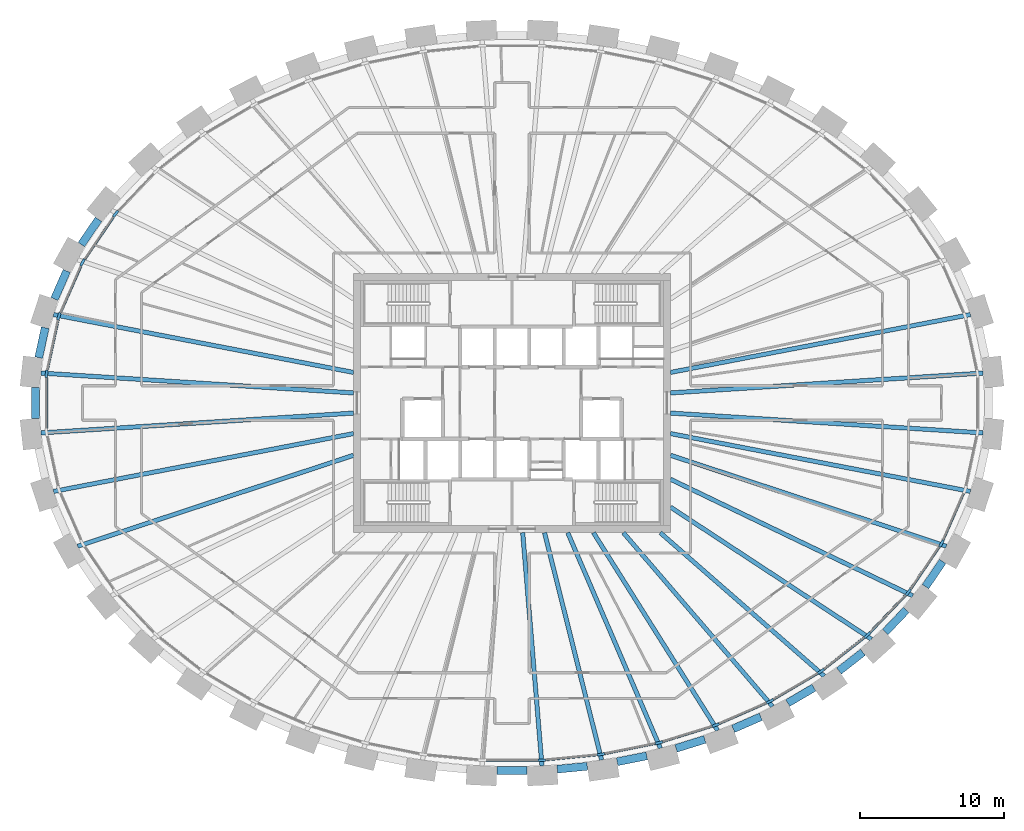
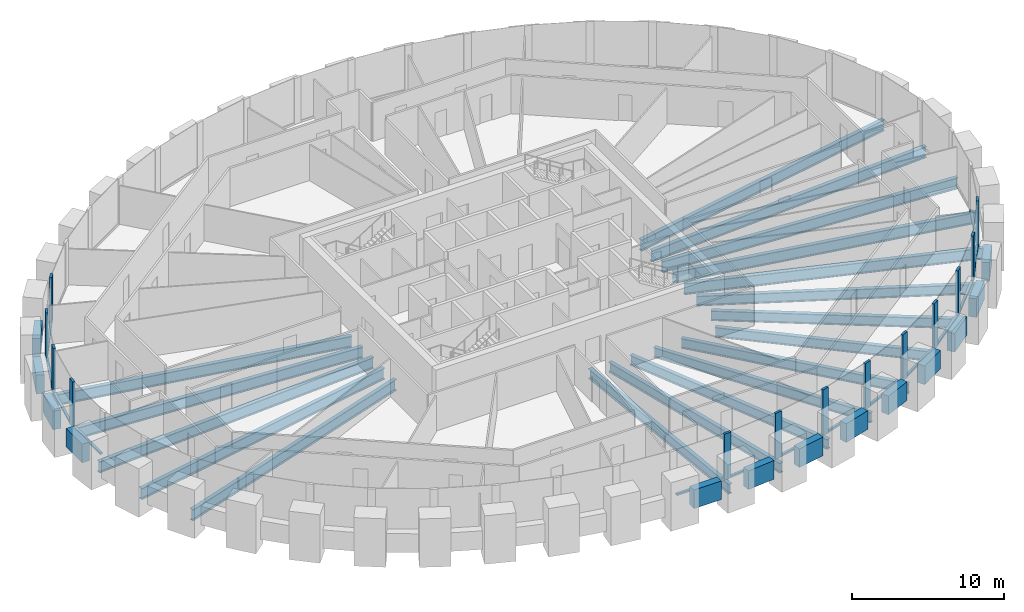
# One storey, part 2 of 12: 31 beams, 27 members, 1 element without a shape of its own.
"""IFC4 building model written with IfcOpenShell, lengths in metres."""

from ifc_helpers import new_model, si_unit, direction, frame, origin, origin_2d, place, context, subcontext, project, spatial, rectangle, i_section, extrude, source, transform, mapped, material, material_profile, profile_set, type_object, element, aggregate, save


model = new_model("IFC4")

# Units and contexts
model_context = context("Model", 3, precision=1e-05, world=origin(), true_north=direction((0.0, 1.0)))
body_context = subcontext(model_context, "Body", "Model", "MODEL_VIEW")
ifc_project = project(units=[si_unit("LENGTHUNIT", "METRE"), si_unit("AREAUNIT", "SQUARE_METRE"), si_unit("VOLUMEUNIT", "CUBIC_METRE"), si_unit("PLANEANGLEUNIT", "RADIAN"), si_unit("MASSUNIT", "GRAM", prefix="KILO")], contexts=[model_context])

# Site, building, storey
site_placement = place(None, origin())
site = spatial("IfcSite", under=ifc_project, at=site_placement, CompositionType="ELEMENT")
building_placement = place(site_placement, origin())
building = spatial("IfcBuilding", under=site, at=building_placement, Name="Embergate Tower", CompositionType="ELEMENT")
storey_placement = place(building_placement, frame((0.0, 0.0, 250.0)))
storey = spatial("IfcBuildingStorey", under=building, at=storey_placement, Name="L57", CompositionType="ELEMENT", Elevation=250.0)

# Beams
ifc_material_1 = material(Name="Concrete C60", Category="concrete")
ifc_material_profile_1 = material_profile(ifc_material_1, rectangle(XDim=0.550048828125, YDim=1.5, at=origin_2d()), Name="RC 550x1500")
ifc_profile_set_1 = profile_set([ifc_material_profile_1], Name="Concrete C60")
beam_type_1 = type_object("IfcBeamType", Name="Spandrel beam RC 550x1500 C60", PredefinedType="BEAM", material=ifc_profile_set_1)
shared_shape_1 = source(origin(), body_context, "Body", "SweptSolid", [
    extrude(rectangle(XDim=0.550048828125, YDim=1.5, at=origin_2d()), origin(), (0.0, 0.0, 1.0), 2.121337890625),
])
beam_1_placement = place(storey_placement, frame((-32.39990234375, 5.222900390625, 0.0), z_axis=(-0.210259959119, -0.977645513257, 0.0), x_axis=(0.977645513257, -0.210259959119, 0.0)))
element("IfcBeam", 1, at=beam_1_placement, inside=storey, type_object=beam_type_1, Name="SPN-L57-20", PredefinedType="BEAM", context=body_context, shape_type="MappedRepresentation", body=[
    mapped(shared_shape_1, transform((0.0, 0.0, 0.0))),
])
shared_shape_2 = source(origin(), body_context, "Body", "SweptSolid", [
    extrude(rectangle(XDim=0.550048828125, YDim=1.5, at=origin_2d()), origin(), (0.0, 0.0, 1.0), 2.118408203125),
])
beam_2_placement = place(storey_placement, frame((-30.903076171875, 9.160888671875, 0.0), z_axis=(-0.401653016285, -0.915791927519, 0.0), x_axis=(0.915791927519, -0.401653016285, 0.0)))
element("IfcBeam", 2, at=beam_2_placement, inside=storey, type_object=beam_type_1, Name="SPN-L57-19", PredefinedType="BEAM", context=body_context, shape_type="MappedRepresentation", body=[
    mapped(shared_shape_2, transform((0.0, 0.0, 0.0))),
])
shared_shape_3 = source(origin(), body_context, "Body", "SweptSolid", [
    extrude(rectangle(XDim=0.550048828125, YDim=1.5, at=origin_2d()), origin(), (0.0, 0.0, 1.0), 2.113525390625),
])
for number, where, z_axis, x_axis, name in (
    (3, (-28.697998046875, 12.74609375, 0.0), (-0.562088832066, -0.827076867569, 0.0), (0.827076867569, -0.562088832066, 0.0), "SPN-L57-18"),
    (4, (28.697998046875, -12.74609375, 0.0), (0.562088832066, 0.827076867569, 0.0), (-0.827076867569, 0.562088832066, 0.0), "SPN-L57-40"),
):
    element("IfcBeam", number, at=place(storey_placement, frame(where, z_axis=z_axis, x_axis=x_axis)), inside=storey, type_object=beam_type_1, Name=name, PredefinedType="BEAM", context=body_context, shape_type="MappedRepresentation", body=[
        mapped(shared_shape_3, transform((0.0, 0.0, 0.0))),
    ])
shared_shape_4 = source(origin(), body_context, "Body", "SweptSolid", [
    extrude(rectangle(XDim=0.550048828125, YDim=1.5, at=origin_2d()), origin(), (0.0, 0.0, 1.0), 2.1064453125),
])
beam_3_placement = place(storey_placement, frame((25.907958984375, -15.89111328125, 0.0), z_axis=(0.690280012813, 0.723542330421, 0.0), x_axis=(-0.723542330421, 0.690280012813, 0.0)))
element("IfcBeam", 5, at=beam_3_placement, inside=storey, type_object=beam_type_1, Name="SPN-L57-39", PredefinedType="BEAM", context=body_context, shape_type="MappedRepresentation", body=[
    mapped(shared_shape_4, transform((0.0, 0.0, 0.0))),
])
shared_shape_5 = source(origin(), body_context, "Body", "SweptSolid", [
    extrude(rectangle(XDim=0.550048828125, YDim=1.5, at=origin_2d()), origin(), (0.0, 0.0, 1.0), 2.101806640625),
])
beam_4_placement = place(storey_placement, frame((22.695068359375, -18.593994140625, 0.0), z_axis=(0.78838173926, 0.615186340227, 0.0), x_axis=(-0.615186340227, 0.78838173926, 0.0)))
element("IfcBeam", 6, at=beam_4_placement, inside=storey, type_object=beam_type_1, Name="SPN-L57-38", PredefinedType="BEAM", context=body_context, shape_type="MappedRepresentation", body=[
    mapped(shared_shape_5, transform((0.0, 0.0, 0.0))),
])
shared_shape_6 = source(origin(), body_context, "Body", "SweptSolid", [
    extrude(rectangle(XDim=0.550048828125, YDim=1.5, at=origin_2d()), origin(), (0.0, 0.0, 1.0), 2.097412109375),
])
beam_5_placement = place(storey_placement, frame((19.138916015625, -20.821044921875, 0.0), z_axis=(0.862059864985, 0.506806461267, 0.0), x_axis=(-0.506806461267, 0.862059864985, 0.0)))
element("IfcBeam", 7, at=beam_5_placement, inside=storey, type_object=beam_type_1, Name="SPN-L57-37", PredefinedType="BEAM", context=body_context, shape_type="MappedRepresentation", body=[
    mapped(shared_shape_6, transform((0.0, 0.0, 0.0))),
])
shared_shape_7 = source(origin(), body_context, "Body", "SweptSolid", [
    extrude(rectangle(XDim=0.550048828125, YDim=1.5, at=origin_2d()), origin(), (0.0, 0.0, 1.0), 2.093994140625),
])
beam_6_placement = place(storey_placement, frame((15.35009765625, -22.614013671875, 0.0), z_axis=(0.916403340616, 0.400256064674, 0.0), x_axis=(-0.400256064674, 0.916403340616, 0.0)))
element("IfcBeam", 8, at=beam_6_placement, inside=storey, type_object=beam_type_1, Name="SPN-L57-36", PredefinedType="BEAM", context=body_context, shape_type="MappedRepresentation", body=[
    mapped(shared_shape_7, transform((0.0, 0.0, 0.0))),
])
shared_shape_8 = source(origin(), body_context, "Body", "SweptSolid", [
    extrude(rectangle(XDim=0.550048828125, YDim=1.5, at=origin_2d()), origin(), (0.0, 0.0, 1.0), 2.092529296875),
])
beam_7_placement = place(storey_placement, frame((11.385009765625, -23.969970703125, 0.0), z_axis=(0.954794982035, 0.297265104378, 0.0), x_axis=(-0.297265104378, 0.954794982035, 0.0)))
element("IfcBeam", 9, at=beam_7_placement, inside=storey, type_object=beam_type_1, Name="SPN-L57-35", PredefinedType="BEAM", context=body_context, shape_type="MappedRepresentation", body=[
    mapped(shared_shape_8, transform((0.0, 0.0, 0.0))),
])
shared_shape_9 = source(origin(), body_context, "Body", "SweptSolid", [
    extrude(rectangle(XDim=0.550048828125, YDim=1.5, at=origin_2d()), origin(), (0.0, 0.0, 1.0), 2.0908203125),
])
beam_8_placement = place(storey_placement, frame((7.300048828125, -24.90087890625, 0.0), z_axis=(0.980499753095, 0.196520314929, 0.0), x_axis=(-0.196520314929, 0.980499753095, 0.0)))
element("IfcBeam", 10, at=beam_8_placement, inside=storey, type_object=beam_type_1, Name="SPN-L57-34", PredefinedType="BEAM", context=body_context, shape_type="MappedRepresentation", body=[
    mapped(shared_shape_9, transform((0.0, 0.0, 0.0))),
])
shared_shape_10 = source(origin(), body_context, "Body", "SweptSolid", [
    extrude(rectangle(XDim=0.550048828125, YDim=1.5, at=origin_2d()), origin(), (0.0, 0.0, 1.0), 2.08984375),
])
for number, where, z_axis, x_axis, name in (
    (11, (-1.044921875, -25.51806640625, 0.0), (1.0, 0.0, 0.0), (0.0, 1.0, 0.0), "SPN-L57-32"),
    (12, (3.14306640625, -25.4150390625, 0.0), (0.995219400888, 0.097664446431, 0.0), (-0.097664446431, 0.995219400888, 0.0), "SPN-L57-33"),
):
    element("IfcBeam", number, at=place(storey_placement, frame(where, z_axis=z_axis, x_axis=x_axis)), inside=storey, type_object=beam_type_1, Name=name, PredefinedType="BEAM", context=body_context, shape_type="MappedRepresentation", body=[
        mapped(shared_shape_10, transform((0.0, 0.0, 0.0))),
    ])
shared_shape_11 = source(origin(), body_context, "Body", "SweptSolid", [
    extrude(rectangle(XDim=0.550048828125, YDim=1.5, at=origin_2d()), origin(), (0.0, 0.0, 1.0), 2.1220703125),
])
beam_9_placement = place(storey_placement, frame((-33.068115234375, 1.06103515625, 0.0), z_axis=(0.0, -1.0, 0.0), x_axis=(1.0, 0.0, 0.0)))
element("IfcBeam", 13, at=beam_9_placement, inside=storey, type_object=beam_type_1, Name="SPN-L57-21", PredefinedType="BEAM", context=body_context, shape_type="MappedRepresentation", body=[
    mapped(shared_shape_11, transform((0.0, 0.0, 0.0))),
])
ifc_material_2 = material(Name="Steel Q355B", Category="steel")
ifc_material_profile_2 = material_profile(ifc_material_2, i_section(OverallWidth=0.300048828125, OverallDepth=0.89990234375, WebThickness=0.01611328125, FlangeThickness=0.028076171875, FilletRadius=0.028076171875, at=origin_2d()), Name="HN 900x300x16x28")
ifc_profile_set_2 = profile_set([ifc_material_profile_2], Name="Steel Q355 grade B")
beam_type_2 = type_object("IfcBeamType", Name="Radial girder HN 900x300x16x28", PredefinedType="BEAM", material=ifc_profile_set_2)
shared_shape_12 = source(origin(), body_context, "Body", "SweptSolid", [
    extrude(i_section(OverallWidth=0.300048828125, OverallDepth=0.89990234375, WebThickness=0.01611328125, FlangeThickness=0.028076171875, FilletRadius=0.028076171875, at=origin_2d()), origin(), (0.0, 0.0, 1.0), 21.73681640625),
])
for number, where, z_axis, x_axis, name in (
    (14, (32.693115234375, 2.076904296875, -0.64990234375), (-0.997988738626, -0.063391462954, 0.0), (0.063391462954, -0.997988738626, 0.0), "GIR-L57-00"),
    (15, (-32.693115234375, 2.076904296875, -0.64990234375), (0.997988738626, -0.063391462954, 0.0), (0.063391462954, 0.997988738626, 0.0), "GIR-L57-21"),
    (16, (-32.693115234375, -2.076904296875, -0.64990234375), (0.997988738626, 0.063391462954, 0.0), (-0.063391462954, 0.997988738626, 0.0), "GIR-L57-22"),
    (17, (32.693115234375, -2.076904296875, -0.64990234375), (-0.997988738626, 0.063391462954, 0.0), (-0.063391462954, -0.997988738626, 0.0), "GIR-L57-43"),
):
    element("IfcBeam", number, at=place(storey_placement, frame(where, z_axis=z_axis, x_axis=x_axis)), inside=storey, type_object=beam_type_2, Name=name, PredefinedType="BEAM", context=body_context, shape_type="MappedRepresentation", body=[
        mapped(shared_shape_12, transform((0.0, 0.0, 0.0))),
    ])
shared_shape_13 = source(origin(), body_context, "Body", "SweptSolid", [
    extrude(i_section(OverallWidth=0.300048828125, OverallDepth=0.89990234375, WebThickness=0.01611328125, FlangeThickness=0.028076171875, FilletRadius=0.028076171875, at=origin_2d()), origin(), (0.0, 0.0, 1.0), 21.202880859375),
])
for number, where, z_axis, x_axis, name in (
    (18, (31.819091796875, 6.137939453125, -0.64990234375), (-0.981899604509, -0.189402129517, 0.0), (0.189402129517, -0.981899604509, 0.0), "GIR-L57-01"),
    (19, (-31.819091796875, 6.137939453125, -0.64990234375), (0.981899604509, -0.189402129517, 0.0), (0.189402129517, 0.981899604509, 0.0), "GIR-L57-20"),
    (20, (-31.819091796875, -6.137939453125, -0.64990234375), (0.981899604509, 0.189402129517, 0.0), (-0.189402129517, 0.981899604509, 0.0), "GIR-L57-23"),
    (21, (31.819091796875, -6.137939453125, -0.64990234375), (-0.981899604509, 0.189402129517, 0.0), (-0.189402129517, -0.981899604509, 0.0), "GIR-L57-42"),
):
    element("IfcBeam", number, at=place(storey_placement, frame(where, z_axis=z_axis, x_axis=x_axis)), inside=storey, type_object=beam_type_2, Name=name, PredefinedType="BEAM", context=body_context, shape_type="MappedRepresentation", body=[
        mapped(shared_shape_13, transform((0.0, 0.0, 0.0))),
    ])
shared_shape_14 = source(origin(), body_context, "Body", "SweptSolid", [
    extrude(i_section(OverallWidth=0.300048828125, OverallDepth=0.89990234375, WebThickness=0.01611328125, FlangeThickness=0.028076171875, FilletRadius=0.028076171875, at=origin_2d()), origin(), (0.0, 0.0, 1.0), 20.164306640625),
])
for number, where, z_axis, x_axis, name in (
    (22, (-30.14990234375, -9.943115234375, -0.64990234375), (0.949691828374, 0.313185936976, 0.0), (-0.313185936976, 0.949691828374, 0.0), "GIR-L57-24"),
    (23, (30.14990234375, -9.943115234375, -0.64990234375), (-0.949691828374, 0.313185936976, 0.0), (-0.313185936976, -0.949691828374, 0.0), "GIR-L57-41"),
):
    element("IfcBeam", number, at=place(storey_placement, frame(where, z_axis=z_axis, x_axis=x_axis)), inside=storey, type_object=beam_type_2, Name=name, PredefinedType="BEAM", context=body_context, shape_type="MappedRepresentation", body=[
        mapped(shared_shape_14, transform((0.0, 0.0, 0.0))),
    ])
ifc_material_profile_3 = material_profile(ifc_material_2, i_section(OverallWidth=0.300048828125, OverallDepth=0.800048828125, WebThickness=0.013916015625, FlangeThickness=0.02587890625, FilletRadius=0.028076171875, at=origin_2d()), Name="HN 800x300x14x26")
ifc_profile_set_3 = profile_set([ifc_material_profile_3], Name="Steel Q355 grade B")
beam_type_3 = type_object("IfcBeamType", Name="Radial girder HN 800x300x14x26", PredefinedType="BEAM", material=ifc_profile_set_3)
shared_shape_15 = source(origin(), body_context, "Body", "SweptSolid", [
    extrude(i_section(OverallWidth=0.300048828125, OverallDepth=0.800048828125, WebThickness=0.013916015625, FlangeThickness=0.02587890625, FilletRadius=0.028076171875, at=origin_2d()), origin(), (0.0, 0.0, 1.0), 18.6572265625),
])
beam_10_placement = place(storey_placement, frame((27.81298828125, -13.3798828125, -0.60009765625), z_axis=(-0.901153541631, 0.433500051218, 0.0), x_axis=(-0.433500051218, -0.901153541631, 0.0)))
element("IfcBeam", 24, at=beam_10_placement, inside=storey, type_object=beam_type_3, Name="GIR-L57-40", PredefinedType="BEAM", context=body_context, shape_type="MappedRepresentation", body=[
    mapped(shared_shape_15, transform((0.0, 0.0, 0.0))),
])
shared_shape_16 = source(origin(), body_context, "Body", "SweptSolid", [
    extrude(i_section(OverallWidth=0.300048828125, OverallDepth=0.800048828125, WebThickness=0.013916015625, FlangeThickness=0.02587890625, FilletRadius=0.028076171875, at=origin_2d()), origin(), (0.0, 0.0, 1.0), 16.683349609375),
])
beam_11_placement = place(storey_placement, frame((24.943115234375, -16.387939453125, -0.60009765625), z_axis=(-0.835753065735, 0.549105466295, 0.0), x_axis=(-0.549105466295, -0.835753065735, 0.0)))
element("IfcBeam", 25, at=beam_11_placement, inside=storey, type_object=beam_type_3, Name="GIR-L57-39", PredefinedType="BEAM", context=body_context, shape_type="MappedRepresentation", body=[
    mapped(shared_shape_16, transform((0.0, 0.0, 0.0))),
])
shared_shape_17 = source(origin(), body_context, "Body", "SweptSolid", [
    extrude(i_section(OverallWidth=0.300048828125, OverallDepth=0.800048828125, WebThickness=0.013916015625, FlangeThickness=0.02587890625, FilletRadius=0.028076171875, at=origin_2d()), origin(), (0.0, 0.0, 1.0), 15.11083984375),
])
beam_12_placement = place(storey_placement, frame((21.666015625, -18.947021484375, -0.60009765625), z_axis=(-0.752776832469, 0.658275808836, 0.0), x_axis=(-0.658275808836, -0.752776832469, 0.0)))
element("IfcBeam", 26, at=beam_12_placement, inside=storey, type_object=beam_type_3, Name="GIR-L57-38", PredefinedType="BEAM", context=body_context, shape_type="MappedRepresentation", body=[
    mapped(shared_shape_17, transform((0.0, 0.0, 0.0))),
])
shared_shape_18 = source(origin(), body_context, "Body", "SweptSolid", [
    extrude(i_section(OverallWidth=0.300048828125, OverallDepth=0.800048828125, WebThickness=0.013916015625, FlangeThickness=0.02587890625, FilletRadius=0.028076171875, at=origin_2d()), origin(), (0.0, 0.0, 1.0), 15.889892578125),
])
beam_13_placement = place(storey_placement, frame((18.080078125, -21.054931640625, -0.60009765625), z_axis=(-0.651489554498, 0.75865760418, 0.0), x_axis=(-0.75865760418, -0.651489554498, 0.0)))
element("IfcBeam", 27, at=beam_13_placement, inside=storey, type_object=beam_type_3, Name="GIR-L57-37", PredefinedType="BEAM", context=body_context, shape_type="MappedRepresentation", body=[
    mapped(shared_shape_18, transform((0.0, 0.0, 0.0))),
])
shared_shape_19 = source(origin(), body_context, "Body", "SweptSolid", [
    extrude(i_section(OverallWidth=0.300048828125, OverallDepth=0.800048828125, WebThickness=0.013916015625, FlangeThickness=0.02587890625, FilletRadius=0.028076171875, at=origin_2d()), origin(), (0.0, 0.0, 1.0), 16.202880859375),
])
beam_14_placement = place(storey_placement, frame((14.27001953125, -22.720947265625, -0.60009765625), z_axis=(-0.531876197459, 0.84682212452, 0.0), x_axis=(-0.84682212452, -0.531876197459, 0.0)))
element("IfcBeam", 28, at=beam_14_placement, inside=storey, type_object=beam_type_3, Name="GIR-L57-36", PredefinedType="BEAM", context=body_context, shape_type="MappedRepresentation", body=[
    mapped(shared_shape_19, transform((0.0, 0.0, 0.0))),
])
shared_shape_20 = source(origin(), body_context, "Body", "SweptSolid", [
    extrude(i_section(OverallWidth=0.300048828125, OverallDepth=0.800048828125, WebThickness=0.013916015625, FlangeThickness=0.02587890625, FilletRadius=0.028076171875, at=origin_2d()), origin(), (0.0, 0.0, 1.0), 16.281494140625),
])
beam_15_placement = place(storey_placement, frame((10.299072265625, -23.9580078125, -0.60009765625), z_axis=(-0.394936126448, 0.918708580577, 0.0), x_axis=(-0.918708580577, -0.394936126448, 0.0)))
element("IfcBeam", 29, at=beam_15_placement, inside=storey, type_object=beam_type_3, Name="GIR-L57-35", PredefinedType="BEAM", context=body_context, shape_type="MappedRepresentation", body=[
    mapped(shared_shape_20, transform((0.0, 0.0, 0.0))),
])
shared_shape_21 = source(origin(), body_context, "Body", "SweptSolid", [
    extrude(i_section(OverallWidth=0.300048828125, OverallDepth=0.800048828125, WebThickness=0.013916015625, FlangeThickness=0.02587890625, FilletRadius=0.028076171875, at=origin_2d()), origin(), (0.0, 0.0, 1.0), 16.265625),
])
beam_16_placement = place(storey_placement, frame((6.219970703125, -24.77587890625, -0.60009765625), z_axis=(-0.243517311552, 0.969896550656, 0.0), x_axis=(-0.969896550656, -0.243517311552, 0.0)))
element("IfcBeam", 30, at=beam_16_placement, inside=storey, type_object=beam_type_3, Name="GIR-L57-34", PredefinedType="BEAM", context=body_context, shape_type="MappedRepresentation", body=[
    mapped(shared_shape_21, transform((0.0, 0.0, 0.0))),
])
shared_shape_22 = source(origin(), body_context, "Body", "SweptSolid", [
    extrude(i_section(OverallWidth=0.300048828125, OverallDepth=0.800048828125, WebThickness=0.013916015625, FlangeThickness=0.02587890625, FilletRadius=0.028076171875, at=origin_2d()), origin(), (0.0, 0.0, 1.0), 16.23828125),
])
beam_17_placement = place(storey_placement, frame((2.080078125, -25.18310546875, -0.60009765625), z_axis=(-0.082346180741, 0.996603786124, 0.0), x_axis=(-0.996603786124, -0.082346180741, 0.0)))
element("IfcBeam", 31, at=beam_17_placement, inside=storey, type_object=beam_type_3, Name="GIR-L57-33", PredefinedType="BEAM", context=body_context, shape_type="MappedRepresentation", body=[
    mapped(shared_shape_22, transform((0.0, 0.0, 0.0))),
])

# Curtain wall, members
ifc_material_3 = material(Name="Aluminium and glass", Category="aluminium")
curtain_wall_type = type_object("IfcCurtainWallType", Name="Recessed office glazing", PredefinedType="NOTDEFINED", material=ifc_material_3)
curtain_wall_placement = place(storey_placement, origin())
curtain_wall = element("IfcCurtainWall", 32, at=curtain_wall_placement, inside=storey, type_object=curtain_wall_type, Name="Recessed office glazing ring", ObjectType="RECESSED OFFICE GLAZING", PredefinedType="USERDEFINED")
ifc_material_4 = material(Name="Aluminium, thermally broken", Category="aluminium")
ifc_material_profile_4 = material_profile(ifc_material_4, rectangle(XDim=0.179931640625, YDim=0.52001953125, at=origin_2d()), Name="AL 520x180")
ifc_profile_set_4 = profile_set([ifc_material_profile_4], Name="Aluminium, thermally broken")
member_type_1 = type_object("IfcMemberType", Name="Office mullion", PredefinedType="MULLION", material=ifc_profile_set_4)
shared_shape_23 = source(origin(), body_context, "Body", "SweptSolid", [
    extrude(rectangle(XDim=0.179931640625, YDim=0.52001953125, at=origin_2d()), origin(), (0.0, 0.0, 1.0), 3.699951171875),
])
member_1_placement = place(storey_placement, frame((-27.51025390625, 13.134033203125, 0.0), z_axis=(0.0, 0.0, 1.0), x_axis=(0.777868177123, -0.628427481114, 0.0)))
member_1 = element("IfcMember", 33, at=member_1_placement, type_object=member_type_1, Name="CW mullion 19", PredefinedType="MULLION", context=body_context, shape_type="MappedRepresentation", body=[
    mapped(shared_shape_23, transform((0.0, 0.0, 0.0))),
])
member_2_placement = place(storey_placement, frame((-29.809326171875, 9.753173828125, 0.0), z_axis=(0.0, 0.0, 1.0), x_axis=(0.874997671059, -0.484127127562, 0.0)))
member_2 = element("IfcMember", 34, at=member_2_placement, type_object=member_type_1, Name="CW mullion 20", PredefinedType="MULLION", context=body_context, shape_type="MappedRepresentation", body=[
    mapped(shared_shape_23, transform((0.0, 0.0, 0.0))),
])
member_3_placement = place(storey_placement, frame((-31.447998046875, 6.01708984375, 0.0), z_axis=(0.0, 0.0, 1.0), x_axis=(0.951495650128, -0.307662197527, 0.0)))
member_3 = element("IfcMember", 35, at=member_3_placement, type_object=member_type_1, Name="CW mullion 21", PredefinedType="MULLION", context=body_context, shape_type="MappedRepresentation", body=[
    mapped(shared_shape_23, transform((0.0, 0.0, 0.0))),
])
member_4_placement = place(storey_placement, frame((-32.304931640625, 2.03515625, 0.0), z_axis=(0.0, 0.0, 1.0), x_axis=(0.994384585337, -0.105826728403, 0.0)))
member_4 = element("IfcMember", 36, at=member_4_placement, type_object=member_type_1, Name="CW mullion 22", PredefinedType="MULLION", context=body_context, shape_type="MappedRepresentation", body=[
    mapped(shared_shape_23, transform((0.0, 0.0, 0.0))),
])
member_5_placement = place(storey_placement, frame((2.060791015625, -24.793701171875, 0.0), z_axis=(0.0, 0.0, 1.0), x_axis=(-0.048971796621, 0.998800161762, 0.0)))
member_5 = element("IfcMember", 37, at=member_5_placement, type_object=member_type_1, Name="CW mullion 34", PredefinedType="MULLION", context=body_context, shape_type="MappedRepresentation", body=[
    mapped(shared_shape_23, transform((0.0, 0.0, 0.0))),
])
member_6_placement = place(storey_placement, frame((6.16259765625, -24.390380859375, 0.0), z_axis=(0.0, 0.0, 1.0), x_axis=(-0.147412382818, 0.989075118174, 0.0)))
member_6 = element("IfcMember", 38, at=member_6_placement, type_object=member_type_1, Name="CW mullion 35", PredefinedType="MULLION", context=body_context, shape_type="MappedRepresentation", body=[
    mapped(shared_shape_23, transform((0.0, 0.0, 0.0))),
])
member_7_placement = place(storey_placement, frame((10.2021484375, -23.580322265625, 0.0), z_axis=(0.0, 0.0, 1.0), x_axis=(-0.24731188137, 0.968935928394, 0.0)))
member_7 = element("IfcMember", 39, at=member_7_placement, type_object=member_type_1, Name="CW mullion 36", PredefinedType="MULLION", context=body_context, shape_type="MappedRepresentation", body=[
    mapped(shared_shape_23, transform((0.0, 0.0, 0.0))),
])
member_8_placement = place(storey_placement, frame((14.1337890625, -22.35595703125, 0.0), z_axis=(0.0, 0.0, 1.0), x_axis=(-0.349502682851, 0.936935363128, 0.0)))
member_8 = element("IfcMember", 40, at=member_8_placement, type_object=member_type_1, Name="CW mullion 37", PredefinedType="MULLION", context=body_context, shape_type="MappedRepresentation", body=[
    mapped(shared_shape_23, transform((0.0, 0.0, 0.0))),
])
member_9_placement = place(storey_placement, frame((17.904052734375, -20.707275390625, 0.0), z_axis=(0.0, 0.0, 1.0), x_axis=(-0.454509825889, 0.890741723605, 0.0)))
member_9 = element("IfcMember", 41, at=member_9_placement, type_object=member_type_1, Name="CW mullion 38", PredefinedType="MULLION", context=body_context, shape_type="MappedRepresentation", body=[
    mapped(shared_shape_23, transform((0.0, 0.0, 0.0))),
])
member_10_placement = place(storey_placement, frame((21.447265625, -18.624267578125, 0.0), z_axis=(0.0, 0.0, 1.0), x_axis=(-0.562214731803, 0.826991290972, 0.0)))
member_10 = element("IfcMember", 42, at=member_10_placement, type_object=member_type_1, Name="CW mullion 39", PredefinedType="MULLION", context=body_context, shape_type="MappedRepresentation", body=[
    mapped(shared_shape_23, transform((0.0, 0.0, 0.0))),
])
member_11_placement = place(storey_placement, frame((24.682861328125, -16.098876953125, 0.0), z_axis=(0.0, 0.0, 1.0), x_axis=(-0.671223946494, 0.741254621337, 0.0)))
member_11 = element("IfcMember", 43, at=member_11_placement, type_object=member_type_1, Name="CW mullion 40", PredefinedType="MULLION", context=body_context, shape_type="MappedRepresentation", body=[
    mapped(shared_shape_23, transform((0.0, 0.0, 0.0))),
])
member_12_placement = place(storey_placement, frame((27.51025390625, -13.134033203125, 0.0), z_axis=(0.0, 0.0, 1.0), x_axis=(-0.777868177123, 0.628427481114, 0.0)))
member_12 = element("IfcMember", 44, at=member_12_placement, type_object=member_type_1, Name="CW mullion 41", PredefinedType="MULLION", context=body_context, shape_type="MappedRepresentation", body=[
    mapped(shared_shape_23, transform((0.0, 0.0, 0.0))),
])
member_13_placement = place(storey_placement, frame((29.809326171875, -9.753173828125, 0.0), z_axis=(0.0, 0.0, 1.0), x_axis=(-0.874997671059, 0.484127127562, 0.0)))
member_13 = element("IfcMember", 45, at=member_13_placement, type_object=member_type_1, Name="CW mullion 42", PredefinedType="MULLION", context=body_context, shape_type="MappedRepresentation", body=[
    mapped(shared_shape_23, transform((0.0, 0.0, 0.0))),
])
ifc_material_profile_5 = material_profile(ifc_material_4, rectangle(XDim=0.179931640625, YDim=0.14990234375, at=origin_2d()), Name="AL 150x180")
ifc_profile_set_5 = profile_set([ifc_material_profile_5], Name="Aluminium, thermally broken")
member_type_2 = type_object("IfcMemberType", Name="Office sill transom", PredefinedType="USERDEFINED", material=ifc_profile_set_5)
shared_shape_24 = source(origin(), body_context, "Body", "SweptSolid", [
    extrude(rectangle(XDim=0.179931640625, YDim=0.14990234375, at=origin_2d()), origin(), (0.0, 0.0, 1.0), 3.552978515625),
])
member_14_placement = place(storey_placement, frame((-31.502685546875, 5.7626953125, 0.074951171875), z_axis=(-0.210406550267, -0.977613974739, 0.0), x_axis=(0.977613974739, -0.210406550267, 0.0)))
member_14 = element("IfcMember", 46, at=member_14_placement, type_object=member_type_2, Name="CW transom 21.1", ObjectType="TRANSOM", PredefinedType="USERDEFINED", context=body_context, shape_type="MappedRepresentation", body=[
    mapped(shared_shape_24, transform((0.0, 0.0, 0.0))),
])
shared_shape_25 = source(origin(), body_context, "Body", "SweptSolid", [
    extrude(rectangle(XDim=0.179931640625, YDim=0.14990234375, at=origin_2d()), origin(), (0.0, 0.0, 1.0), 3.559814453125),
])
member_15_placement = place(storey_placement, frame((-29.913818359375, 9.51513671875, 0.074951171875), z_axis=(-0.401628194201, -0.915802813723, 0.0), x_axis=(0.915802813723, -0.401628194201, 0.0)))
member_15 = element("IfcMember", 47, at=member_15_placement, type_object=member_type_2, Name="CW transom 20.1", ObjectType="TRANSOM", PredefinedType="USERDEFINED", context=body_context, shape_type="MappedRepresentation", body=[
    mapped(shared_shape_25, transform((0.0, 0.0, 0.0))),
])
member_16_placement = place(storey_placement, frame((29.913818359375, -9.51513671875, 0.074951171875), z_axis=(0.401628194201, 0.915802813723, 0.0), x_axis=(-0.915802813723, 0.401628194201, 0.0)))
member_16 = element("IfcMember", 48, at=member_16_placement, type_object=member_type_2, Name="CW transom 42.1", ObjectType="TRANSOM", PredefinedType="USERDEFINED", context=body_context, shape_type="MappedRepresentation", body=[
    mapped(shared_shape_25, transform((0.0, 0.0, 0.0))),
])
shared_shape_26 = source(origin(), body_context, "Body", "SweptSolid", [
    extrude(rectangle(XDim=0.179931640625, YDim=0.14990234375, at=origin_2d()), origin(), (0.0, 0.0, 1.0), 3.568359375),
])
member_17_placement = place(storey_placement, frame((-27.656494140625, 12.9189453125, 0.074951171875), z_axis=(-0.562334349522, -0.826909958428, 0.0), x_axis=(0.826909958428, -0.562334349522, 0.0)))
member_17 = element("IfcMember", 49, at=member_17_placement, type_object=member_type_2, Name="CW transom 19.1", ObjectType="TRANSOM", PredefinedType="USERDEFINED", context=body_context, shape_type="MappedRepresentation", body=[
    mapped(shared_shape_26, transform((0.0, 0.0, 0.0))),
])
member_18_placement = place(storey_placement, frame((27.656494140625, -12.9189453125, 0.074951171875), z_axis=(0.562334349522, 0.826909958428, 0.0), x_axis=(-0.826909958428, 0.562334349522, 0.0)))
member_18 = element("IfcMember", 50, at=member_18_placement, type_object=member_type_2, Name="CW transom 41.1", ObjectType="TRANSOM", PredefinedType="USERDEFINED", context=body_context, shape_type="MappedRepresentation", body=[
    mapped(shared_shape_26, transform((0.0, 0.0, 0.0))),
])
shared_shape_27 = source(origin(), body_context, "Body", "SweptSolid", [
    extrude(rectangle(XDim=0.179931640625, YDim=0.14990234375, at=origin_2d()), origin(), (0.0, 0.0, 1.0), 3.576904296875),
])
member_19_placement = place(storey_placement, frame((24.8623046875, -15.910888671875, 0.074951171875), z_axis=(0.69011690361, 0.72369790614, 0.0), x_axis=(-0.72369790614, 0.69011690361, 0.0)))
member_19 = element("IfcMember", 51, at=member_19_placement, type_object=member_type_2, Name="CW transom 40.1", ObjectType="TRANSOM", PredefinedType="USERDEFINED", context=body_context, shape_type="MappedRepresentation", body=[
    mapped(shared_shape_27, transform((0.0, 0.0, 0.0))),
])
shared_shape_28 = source(origin(), body_context, "Body", "SweptSolid", [
    extrude(rectangle(XDim=0.179931640625, YDim=0.14990234375, at=origin_2d()), origin(), (0.0, 0.0, 1.0), 3.58447265625),
])
member_20_placement = place(storey_placement, frame((21.652099609375, -18.464111328125, 0.074951171875), z_axis=(0.788327869744, 0.61525536957, 0.0), x_axis=(-0.61525536957, 0.788327869744, 0.0)))
member_20 = element("IfcMember", 52, at=member_20_placement, type_object=member_type_2, Name="CW transom 39.1", ObjectType="TRANSOM", PredefinedType="USERDEFINED", context=body_context, shape_type="MappedRepresentation", body=[
    mapped(shared_shape_28, transform((0.0, 0.0, 0.0))),
])
shared_shape_29 = source(origin(), body_context, "Body", "SweptSolid", [
    extrude(rectangle(XDim=0.179931640625, YDim=0.14990234375, at=origin_2d()), origin(), (0.0, 0.0, 1.0), 3.59033203125),
])
member_21_placement = place(storey_placement, frame((18.128173828125, -20.57568359375, 0.074951171875), z_axis=(0.862054810365, 0.506815058898, 0.0), x_axis=(-0.506815058898, 0.862054810365, 0.0)))
member_21 = element("IfcMember", 53, at=member_21_placement, type_object=member_type_2, Name="CW transom 38.1", ObjectType="TRANSOM", PredefinedType="USERDEFINED", context=body_context, shape_type="MappedRepresentation", body=[
    mapped(shared_shape_29, transform((0.0, 0.0, 0.0))),
])
shared_shape_30 = source(origin(), body_context, "Body", "SweptSolid", [
    extrude(rectangle(XDim=0.179931640625, YDim=0.14990234375, at=origin_2d()), origin(), (0.0, 0.0, 1.0), 3.594482421875),
])
member_22_placement = place(storey_placement, frame((14.372314453125, -22.251708984375, 0.074951171875), z_axis=(0.916229025025, 0.400654930958, 0.0), x_axis=(-0.400654930958, 0.916229025025, 0.0)))
member_22 = element("IfcMember", 54, at=member_22_placement, type_object=member_type_2, Name="CW transom 37.1", ObjectType="TRANSOM", PredefinedType="USERDEFINED", context=body_context, shape_type="MappedRepresentation", body=[
    mapped(shared_shape_30, transform((0.0, 0.0, 0.0))),
])
shared_shape_31 = source(origin(), body_context, "Body", "SweptSolid", [
    extrude(rectangle(XDim=0.179931640625, YDim=0.14990234375, at=origin_2d()), origin(), (0.0, 0.0, 1.0), 3.59814453125),
])
member_23_placement = place(storey_placement, frame((10.450439453125, -23.5029296875, 0.074951171875), z_axis=(0.954772906147, 0.297336001332, 0.0), x_axis=(-0.297336001332, 0.954772906147, 0.0)))
member_23 = element("IfcMember", 55, at=member_23_placement, type_object=member_type_2, Name="CW transom 36.1", ObjectType="TRANSOM", PredefinedType="USERDEFINED", context=body_context, shape_type="MappedRepresentation", body=[
    mapped(shared_shape_31, transform((0.0, 0.0, 0.0))),
])
shared_shape_32 = source(origin(), body_context, "Body", "SweptSolid", [
    extrude(rectangle(XDim=0.179931640625, YDim=0.14990234375, at=origin_2d()), origin(), (0.0, 0.0, 1.0), 3.60009765625),
])
member_24_placement = place(storey_placement, frame((6.41748046875, -24.33935546875, 0.074951171875), z_axis=(0.980470975214, 0.196663842033, 0.0), x_axis=(-0.196663842033, 0.980470975214, 0.0)))
member_24 = element("IfcMember", 56, at=member_24_placement, type_object=member_type_2, Name="CW transom 35.1", ObjectType="TRANSOM", PredefinedType="USERDEFINED", context=body_context, shape_type="MappedRepresentation", body=[
    mapped(shared_shape_32, transform((0.0, 0.0, 0.0))),
])
shared_shape_33 = source(origin(), body_context, "Body", "SweptSolid", [
    extrude(rectangle(XDim=0.179931640625, YDim=0.14990234375, at=origin_2d()), origin(), (0.0, 0.0, 1.0), 3.6015625),
])
member_25_placement = place(storey_placement, frame((-1.80078125, -24.793701171875, 0.074951171875), z_axis=(1.0, 0.0, 0.0), x_axis=(0.0, 1.0, 0.0)))
member_25 = element("IfcMember", 57, at=member_25_placement, type_object=member_type_2, Name="CW transom 33.1", ObjectType="TRANSOM", PredefinedType="USERDEFINED", context=body_context, shape_type="MappedRepresentation", body=[
    mapped(shared_shape_33, transform((0.0, 0.0, 0.0))),
])
member_26_placement = place(storey_placement, frame((2.319580078125, -24.768310546875, 0.074951171875), z_axis=(0.995204228817, 0.097818929377, 0.0), x_axis=(-0.097818929377, 0.995204228817, 0.0)))
member_26 = element("IfcMember", 58, at=member_26_placement, type_object=member_type_2, Name="CW transom 34.1", ObjectType="TRANSOM", PredefinedType="USERDEFINED", context=body_context, shape_type="MappedRepresentation", body=[
    mapped(shared_shape_33, transform((0.0, 0.0, 0.0))),
])
shared_shape_34 = source(origin(), body_context, "Body", "SweptSolid", [
    extrude(rectangle(XDim=0.179931640625, YDim=0.14990234375, at=origin_2d()), origin(), (0.0, 0.0, 1.0), 3.55029296875),
])
member_27_placement = place(storey_placement, frame((-32.304931640625, 1.775146484375, 0.074951171875), z_axis=(0.0, -1.0, 0.0), x_axis=(1.0, 0.0, 0.0)))
member_27 = element("IfcMember", 59, at=member_27_placement, type_object=member_type_2, Name="CW transom 22.1", ObjectType="TRANSOM", PredefinedType="USERDEFINED", context=body_context, shape_type="MappedRepresentation", body=[
    mapped(shared_shape_34, transform((0.0, 0.0, 0.0))),
])
aggregate(curtain_wall, [member_1, member_2, member_3, member_4, member_5, member_6, member_7, member_8, member_9, member_10, member_11, member_12, member_13, member_17, member_15, member_14, member_27, member_25, member_26, member_24, member_23, member_22, member_21, member_20, member_19, member_18, member_16])

save(model, "model.ifc")
